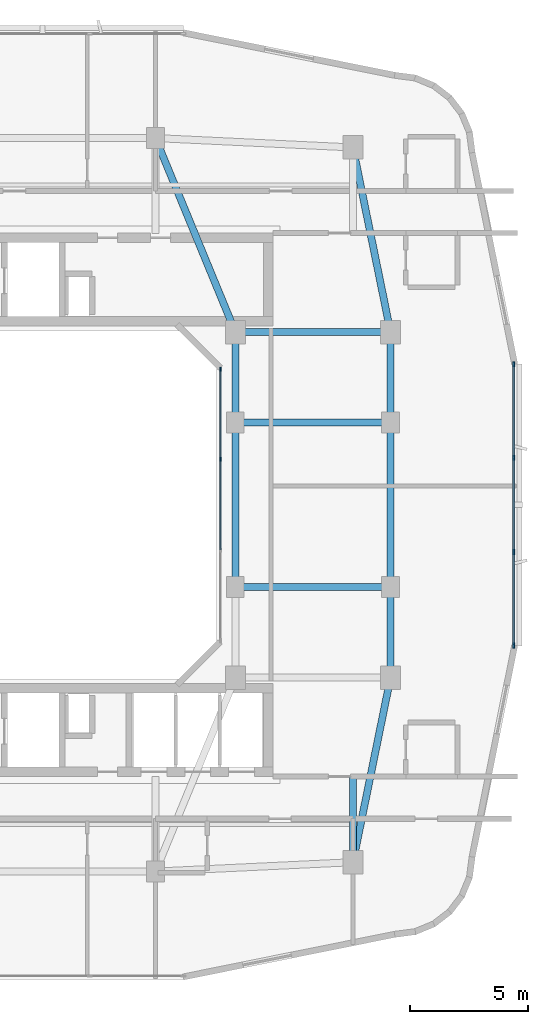
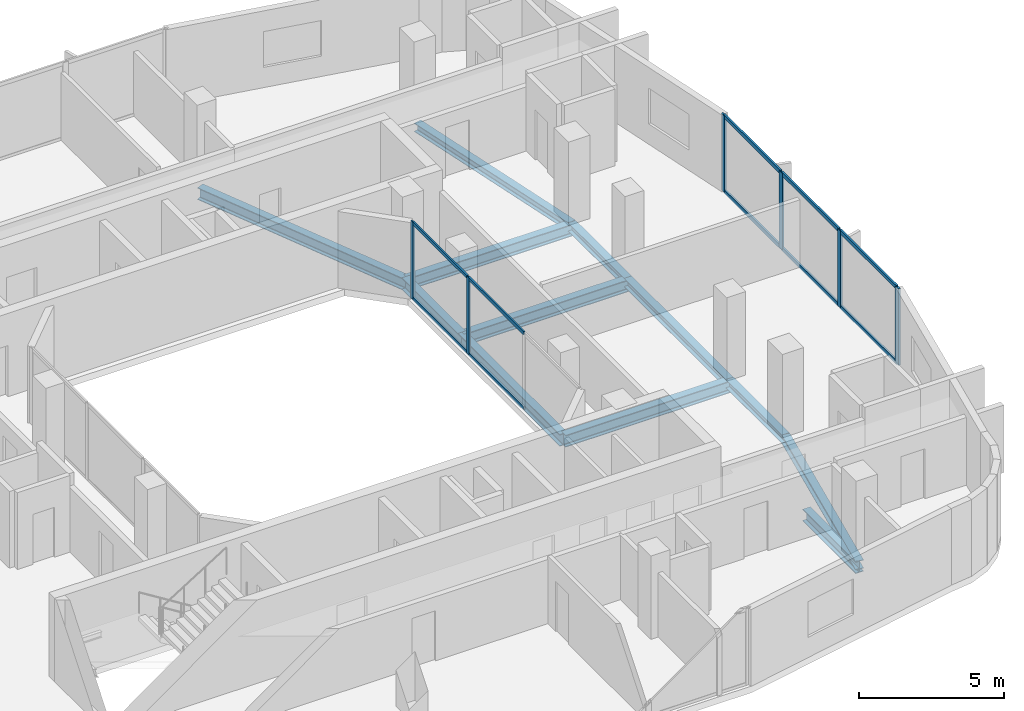
# One storey, part 4 of 14: 16 members, 12 beams, 2 elements without a shape of their own.
"""IFC4 building model written with IfcOpenShell, lengths in metres."""

from ifc_helpers import new_model, si_unit, derived_unit, direction, frame, origin, origin_2d, place, context, subcontext, project, spatial, rectangle, i_section, extrude, material, layer, layer_set, material_profile, profile_set, type_object, element, aggregate, save


model = new_model("IFC4")

# Units and contexts
model_context = context("Model", 3, precision=1e-05, world=origin(), true_north=direction((0.0, 1.0)))
body_context = subcontext(model_context, "Body", "Model", "MODEL_VIEW")
ifc_project = project(units=[si_unit("LENGTHUNIT", "METRE"), si_unit("AREAUNIT", "SQUARE_METRE"), si_unit("VOLUMEUNIT", "CUBIC_METRE"), si_unit("PLANEANGLEUNIT", "RADIAN"), si_unit("MASSUNIT", "GRAM", prefix="KILO"), derived_unit("THERMALTRANSMITTANCEUNIT", [(si_unit("POWERUNIT", "WATT"), 1), (si_unit("LENGTHUNIT", "METRE"), -2), (si_unit("THERMODYNAMICTEMPERATUREUNIT", "KELVIN"), -1)])], contexts=[model_context])

# Site, building, storey
site_placement = place(None, origin())
site = spatial("IfcSite", under=ifc_project, at=site_placement, CompositionType="ELEMENT")
building_placement = place(site_placement, origin())
building = spatial("IfcBuilding", under=site, at=building_placement, Name="Kivonza Crest Hotel", CompositionType="ELEMENT")
storey_placement = place(building_placement, frame((0.0, 0.0, 138.0)))
storey = spatial("IfcBuildingStorey", under=building, at=storey_placement, Name="L37", CompositionType="ELEMENT", Elevation=138.0)

# Beams
ifc_material_1 = material(Name="Steel S355", Category="steel")
ifc_material_profile_1 = material_profile(ifc_material_1, i_section(OverallWidth=0.300048828125, OverallDepth=0.360107421875, WebThickness=0.012451171875, FlangeThickness=0.0224609375, FilletRadius=0.027099609375, at=origin_2d()), Name="HEB 360")
ifc_profile_set_1 = profile_set([ifc_material_profile_1], Name="Steel S355")
beam_type_1 = type_object("IfcBeamType", Name="BM-HEB360", PredefinedType="SPANDREL", material=ifc_profile_set_1)
beam_1_placement = place(storey_placement, frame((34.199951171875, 9.800048828125, -0.4599609375), z_axis=(0.199730733965, 0.979850822273, 0.0), x_axis=(-0.979850822273, 0.199730733965, 0.0)))
element("IfcBeam", 1, at=beam_1_placement, inside=storey, type_object=beam_type_1, Name="Tower T1 L37 perimeter spandrel SE-PSE", PredefinedType="SPANDREL", context=body_context, shape_type="SweptSolid", body=[
    extrude(i_section(OverallWidth=0.300048828125, OverallDepth=0.360107421875, WebThickness=0.012451171875, FlangeThickness=0.0224609375, FilletRadius=0.027099609375, at=origin_2d()), origin(), (0.0, 0.0, 1.0), 8.01123046875),
])
beam_2_placement = place(storey_placement, frame((35.800048828125, 17.64990234375, -0.4599609375), z_axis=(0.0, 1.0, 0.0), x_axis=(-1.0, 0.0, 0.0)))
element("IfcBeam", 2, at=beam_2_placement, inside=storey, type_object=beam_type_1, Name="Tower T1 L37 perimeter spandrel PSE-E1", PredefinedType="SPANDREL", context=body_context, shape_type="SweptSolid", body=[
    extrude(i_section(OverallWidth=0.300048828125, OverallDepth=0.360107421875, WebThickness=0.012451171875, FlangeThickness=0.0224609375, FilletRadius=0.027099609375, at=origin_2d()), origin(), (0.0, 0.0, 1.0), 3.85009765625),
])
beam_3_placement = place(storey_placement, frame((35.800048828125, 21.5, -0.4599609375), z_axis=(0.0, 1.0, 0.0), x_axis=(-1.0, 0.0, 0.0)))
element("IfcBeam", 3, at=beam_3_placement, inside=storey, type_object=beam_type_1, Name="Tower T1 L37 perimeter spandrel E1-E2", PredefinedType="SPANDREL", context=body_context, shape_type="SweptSolid", body=[
    extrude(i_section(OverallWidth=0.300048828125, OverallDepth=0.360107421875, WebThickness=0.012451171875, FlangeThickness=0.0224609375, FilletRadius=0.027099609375, at=origin_2d()), origin(), (0.0, 0.0, 1.0), 7.0),
])
beam_4_placement = place(storey_placement, frame((35.800048828125, 28.5, -0.4599609375), z_axis=(0.0, 1.0, 0.0), x_axis=(-1.0, 0.0, 0.0)))
element("IfcBeam", 4, at=beam_4_placement, inside=storey, type_object=beam_type_1, Name="Tower T1 L37 perimeter spandrel E2-PNE", PredefinedType="SPANDREL", context=body_context, shape_type="SweptSolid", body=[
    extrude(i_section(OverallWidth=0.300048828125, OverallDepth=0.360107421875, WebThickness=0.012451171875, FlangeThickness=0.0224609375, FilletRadius=0.027099609375, at=origin_2d()), origin(), (0.0, 0.0, 1.0), 3.85009765625),
])
beam_5_placement = place(storey_placement, frame((35.800048828125, 32.35009765625, -0.4599609375), z_axis=(-0.199730733965, 0.979850822273, 0.0), x_axis=(-0.979850822273, -0.199730733965, 0.0)))
element("IfcBeam", 5, at=beam_5_placement, inside=storey, type_object=beam_type_1, Name="Tower T1 L37 perimeter spandrel PNE-NE", PredefinedType="SPANDREL", context=body_context, shape_type="SweptSolid", body=[
    extrude(i_section(OverallWidth=0.300048828125, OverallDepth=0.360107421875, WebThickness=0.012451171875, FlangeThickness=0.0224609375, FilletRadius=0.027099609375, at=origin_2d()), origin(), (0.0, 0.0, 1.0), 8.01123046875),
])
ifc_material_profile_2 = material_profile(ifc_material_1, i_section(OverallWidth=0.300048828125, OverallDepth=0.5, WebThickness=0.014404296875, FlangeThickness=0.028076171875, FilletRadius=0.027099609375, at=origin_2d()), Name="HEB 500")
ifc_profile_set_2 = profile_set([ifc_material_profile_2], Name="Steel S355")
beam_type_2 = type_object("IfcBeamType", Name="BM-HEB500", PredefinedType="BEAM", material=ifc_profile_set_2)
beam_6_placement = place(storey_placement, frame((25.800048828125, 40.60009765625, -0.530029296875), z_axis=(0.381022260404, -0.924565864109, 0.0), x_axis=(0.924565864109, 0.381022260404, 0.0)))
element("IfcBeam", 6, at=beam_6_placement, inside=storey, type_object=beam_type_2, Name="Tower T1 L37 primary girder N1-TNE", PredefinedType="BEAM", context=body_context, shape_type="SweptSolid", body=[
    extrude(i_section(OverallWidth=0.300048828125, OverallDepth=0.5, WebThickness=0.014404296875, FlangeThickness=0.028076171875, FilletRadius=0.027099609375, at=origin_2d()), origin(), (0.0, 0.0, 1.0), 8.923095703125),
])
beam_7_placement = place(storey_placement, frame((29.199951171875, 32.35009765625, -0.530029296875), z_axis=(1.0, 0.0, 0.0), x_axis=(0.0, 1.0, 0.0)))
element("IfcBeam", 7, at=beam_7_placement, inside=storey, type_object=beam_type_2, Name="Tower T1 L37 primary girder TNE-PNE", PredefinedType="BEAM", context=body_context, shape_type="SweptSolid", body=[
    extrude(i_section(OverallWidth=0.300048828125, OverallDepth=0.5, WebThickness=0.014404296875, FlangeThickness=0.028076171875, FilletRadius=0.027099609375, at=origin_2d()), origin(), (0.0, 0.0, 1.0), 6.60009765625),
])
beam_8_placement = place(storey_placement, frame((29.199951171875, 21.5, -0.530029296875), z_axis=(0.0, 1.0, 0.0), x_axis=(-1.0, 0.0, 0.0)))
element("IfcBeam", 8, at=beam_8_placement, inside=storey, type_object=beam_type_2, Name="Tower T1 L37 primary girder WR1-WR2", PredefinedType="BEAM", context=body_context, shape_type="SweptSolid", body=[
    extrude(i_section(OverallWidth=0.300048828125, OverallDepth=0.5, WebThickness=0.014404296875, FlangeThickness=0.028076171875, FilletRadius=0.027099609375, at=origin_2d()), origin(), (0.0, 0.0, 1.0), 7.0),
])
beam_9_placement = place(storey_placement, frame((29.199951171875, 28.5, -0.530029296875), z_axis=(0.0, 1.0, 0.0), x_axis=(-1.0, 0.0, 0.0)))
element("IfcBeam", 9, at=beam_9_placement, inside=storey, type_object=beam_type_2, Name="Tower T1 L37 primary girder WR2-TNE", PredefinedType="BEAM", context=body_context, shape_type="SweptSolid", body=[
    extrude(i_section(OverallWidth=0.300048828125, OverallDepth=0.5, WebThickness=0.014404296875, FlangeThickness=0.028076171875, FilletRadius=0.027099609375, at=origin_2d()), origin(), (0.0, 0.0, 1.0), 3.85009765625),
])
for number, where, z_axis, x_axis, name in (
    (10, (29.199951171875, 21.5, -0.530029296875), (1.0, 0.0, 0.0), (0.0, 1.0, 0.0), "Tower T1 L37 primary girder WR1-E1"),
    (11, (29.199951171875, 28.5, -0.530029296875), (1.0, 0.0, 0.0), (0.0, 1.0, 0.0), "Tower T1 L37 primary girder WR2-E2"),
):
    element("IfcBeam", number, at=place(storey_placement, frame(where, z_axis=z_axis, x_axis=x_axis)), inside=storey, type_object=beam_type_2, Name=name, PredefinedType="BEAM", context=body_context, shape_type="SweptSolid", body=[
        extrude(i_section(OverallWidth=0.300048828125, OverallDepth=0.5, WebThickness=0.014404296875, FlangeThickness=0.028076171875, FilletRadius=0.027099609375, at=origin_2d()), origin(), (0.0, 0.0, 1.0), 6.60009765625),
    ])
beam_10_placement = place(storey_placement, frame((34.199951171875, 9.800048828125, -0.530029296875), z_axis=(0.0, 1.0, 0.0), x_axis=(-1.0, 0.0, 0.0)))
element("IfcBeam", 12, at=beam_10_placement, inside=storey, type_object=beam_type_2, Name="Tower T1 L37 radial core girder RSE", PredefinedType="BEAM", context=body_context, shape_type="SweptSolid", body=[
    extrude(i_section(OverallWidth=0.300048828125, OverallDepth=0.5, WebThickness=0.014404296875, FlangeThickness=0.028076171875, FilletRadius=0.027099609375, at=origin_2d()), origin(), (0.0, 0.0, 1.0), 3.64990234375),
])

# Curtain wall, members
ifc_material_2 = material(Name="Anodised bronze aluminium and low-E double glazing", Category="aluminium")
ifc_layer_1 = layer(ifc_material_2, 0.159912109375)
ifc_layer_set_1 = layer_set([ifc_layer_1], Name="Anodised bronze aluminium and low-E double glazing")
curtain_wall_type_1 = type_object("IfcCurtainWallType", Name="CW-SYS-5", PredefinedType="NOTDEFINED", material=ifc_layer_set_1)
curtain_wall_1_placement = place(storey_placement, origin())
curtain_wall_1 = element("IfcCurtainWall", 13, at=curtain_wall_1_placement, inside=storey, type_object=curtain_wall_type_1, Name="L37 unitised curtain wall CW-WELL-T1-L37-3", PredefinedType="NOTDEFINED")
ifc_material_3 = material(Name="Anodised bronze aluminium", Category="aluminium")
ifc_material_profile_3 = material_profile(ifc_material_3, rectangle(XDim=0.06494140625, YDim=0.179931640625, at=origin_2d()), Name="CW-M 65x180")
ifc_profile_set_3 = profile_set([ifc_material_profile_3], Name="Anodised bronze aluminium")
member_type_1 = type_object("IfcMemberType", Name="CW-MUL-65x180", PredefinedType="MULLION", material=ifc_profile_set_3)
member_1_placement = place(storey_placement, frame((28.56005859375, 26.933349609375, 0.0), z_axis=(0.0, 0.0, 1.0), x_axis=(-1.0, 0.0, 0.0)))
member_1 = element("IfcMember", 14, at=member_1_placement, type_object=member_type_1, Name="CW-5 mullion 3", PredefinedType="MULLION", context=body_context, shape_type="SweptSolid", body=[
    extrude(rectangle(XDim=0.06494140625, YDim=0.179931640625, at=origin_2d()), origin(), (0.0, 0.0, 1.0), 3.219970703125),
])
member_2_placement = place(storey_placement, frame((28.56005859375, 30.767578125, 0.0), z_axis=(0.0, 0.0, 1.0), x_axis=(-1.0, 0.0, 0.0)))
member_2 = element("IfcMember", 15, at=member_2_placement, type_object=member_type_1, Name="CW-5 mullion 4", PredefinedType="MULLION", context=body_context, shape_type="SweptSolid", body=[
    extrude(rectangle(XDim=0.06494140625, YDim=0.179931640625, at=origin_2d()), origin(), (0.0, 0.0, 1.0), 3.219970703125),
])

ifc_layer_2 = layer(ifc_material_2, 0.179931640625)
ifc_layer_set_2 = layer_set([ifc_layer_2], Name="Anodised bronze aluminium and low-E double glazing")
curtain_wall_type_2 = type_object("IfcCurtainWallType", Name="CW-SYS-3", PredefinedType="NOTDEFINED", material=ifc_layer_set_2)
curtain_wall_2_placement = place(storey_placement, origin())
curtain_wall_2 = element("IfcCurtainWall", 16, at=curtain_wall_2_placement, inside=storey, type_object=curtain_wall_type_2, Name="L37 unitised curtain wall CW-T1-L37-17", PredefinedType="NOTDEFINED")
ifc_material_profile_4 = material_profile(ifc_material_3, rectangle(XDim=0.074951171875, YDim=0.219970703125, at=origin_2d()), Name="CW-M 75x220")
ifc_profile_set_4 = profile_set([ifc_material_profile_4], Name="Anodised bronze aluminium")
member_type_2 = type_object("IfcMemberType", Name="CW-MUL-75x220", PredefinedType="MULLION", material=ifc_profile_set_4)
member_3_placement = place(storey_placement, frame((41.0400390625, 19.017578125, 0.0), z_axis=(0.0, 0.0, 1.0), x_axis=(-1.0, 0.0, 0.0)))
member_3 = element("IfcMember", 17, at=member_3_placement, type_object=member_type_2, Name="CW-3 mullion 1", PredefinedType="MULLION", context=body_context, shape_type="SweptSolid", body=[
    extrude(rectangle(XDim=0.074951171875, YDim=0.219970703125, at=origin_2d()), origin(), (0.0, 0.0, 1.0), 3.219970703125),
])
member_4_placement = place(storey_placement, frame((41.0400390625, 22.993408203125, 0.0), z_axis=(0.0, 0.0, 1.0), x_axis=(-1.0, 0.0, 0.0)))
member_4 = element("IfcMember", 18, at=member_4_placement, type_object=member_type_2, Name="CW-3 mullion 2", PredefinedType="MULLION", context=body_context, shape_type="SweptSolid", body=[
    extrude(rectangle(XDim=0.074951171875, YDim=0.219970703125, at=origin_2d()), origin(), (0.0, 0.0, 1.0), 3.219970703125),
])
member_5_placement = place(storey_placement, frame((41.0400390625, 27.006591796875, 0.0), z_axis=(0.0, 0.0, 1.0), x_axis=(-1.0, 0.0, 0.0)))
member_5 = element("IfcMember", 19, at=member_5_placement, type_object=member_type_2, Name="CW-3 mullion 3", PredefinedType="MULLION", context=body_context, shape_type="SweptSolid", body=[
    extrude(rectangle(XDim=0.074951171875, YDim=0.219970703125, at=origin_2d()), origin(), (0.0, 0.0, 1.0), 3.219970703125),
])
member_6_placement = place(storey_placement, frame((41.0400390625, 30.982421875, 0.0), z_axis=(0.0, 0.0, 1.0), x_axis=(-1.0, 0.0, 0.0)))
member_6 = element("IfcMember", 20, at=member_6_placement, type_object=member_type_2, Name="CW-3 mullion 4", PredefinedType="MULLION", context=body_context, shape_type="SweptSolid", body=[
    extrude(rectangle(XDim=0.074951171875, YDim=0.219970703125, at=origin_2d()), origin(), (0.0, 0.0, 1.0), 3.219970703125),
])

# Member
ifc_material_profile_5 = material_profile(ifc_material_3, rectangle(XDim=0.06494140625, YDim=0.139892578125, at=origin_2d()), Name="CW-T 65x140")
ifc_profile_set_5 = profile_set([ifc_material_profile_5], Name="Anodised bronze aluminium")
member_type_3 = type_object("IfcMemberType", Name="CW-TRN-65x140", PredefinedType="USERDEFINED", material=ifc_profile_set_5)
member_7_placement = place(storey_placement, frame((28.56005859375, 23.09912109375, 0.032470703125), z_axis=(0.0, 1.0, 0.0), x_axis=(-1.0, 0.0, 0.0)))
member_7 = element("IfcMember", 21, at=member_7_placement, type_object=member_type_3, Name="CW-5 transom 2.1", ObjectType="TRANSOM", PredefinedType="USERDEFINED", context=body_context, shape_type="SweptSolid", body=[
    extrude(rectangle(XDim=0.06494140625, YDim=0.139892578125, at=origin_2d()), origin(), (0.0, 0.0, 1.0), 3.8017578125),
])

member_8_placement = place(storey_placement, frame((28.56005859375, 23.09912109375, 3.1875), z_axis=(0.0, 1.0, 0.0), x_axis=(-1.0, 0.0, 0.0)))
member_8 = element("IfcMember", 22, at=member_8_placement, type_object=member_type_3, Name="CW-5 transom 2.2", ObjectType="TRANSOM", PredefinedType="USERDEFINED", context=body_context, shape_type="SweptSolid", body=[
    extrude(rectangle(XDim=0.06494140625, YDim=0.139892578125, at=origin_2d()), origin(), (0.0, 0.0, 1.0), 3.8017578125),
])

member_9_placement = place(storey_placement, frame((28.56005859375, 26.9658203125, 0.032470703125), z_axis=(0.0, 1.0, 0.0), x_axis=(-1.0, 0.0, 0.0)))
member_9 = element("IfcMember", 23, at=member_9_placement, type_object=member_type_3, Name="CW-5 transom 3.1", ObjectType="TRANSOM", PredefinedType="USERDEFINED", context=body_context, shape_type="SweptSolid", body=[
    extrude(rectangle(XDim=0.06494140625, YDim=0.139892578125, at=origin_2d()), origin(), (0.0, 0.0, 1.0), 3.769287109375),
])

member_10_placement = place(storey_placement, frame((28.56005859375, 26.9658203125, 3.1875), z_axis=(0.0, 1.0, 0.0), x_axis=(-1.0, 0.0, 0.0)))
member_10 = element("IfcMember", 24, at=member_10_placement, type_object=member_type_3, Name="CW-5 transom 3.2", ObjectType="TRANSOM", PredefinedType="USERDEFINED", context=body_context, shape_type="SweptSolid", body=[
    extrude(rectangle(XDim=0.06494140625, YDim=0.139892578125, at=origin_2d()), origin(), (0.0, 0.0, 1.0), 3.769287109375),
])

aggregate(curtain_wall_1, [member_1, member_2, member_7, member_8, member_9, member_10])

ifc_material_profile_6 = material_profile(ifc_material_3, rectangle(XDim=0.074951171875, YDim=0.159912109375, at=origin_2d()), Name="CW-T 75x160")
ifc_profile_set_6 = profile_set([ifc_material_profile_6], Name="Anodised bronze aluminium")
member_type_4 = type_object("IfcMemberType", Name="CW-TRN-75x160", PredefinedType="USERDEFINED", material=ifc_profile_set_6)
member_11_placement = place(storey_placement, frame((41.0400390625, 19.054931640625, 0.03759765625), z_axis=(0.0, 1.0, 0.0), x_axis=(-1.0, 0.0, 0.0)))
member_11 = element("IfcMember", 25, at=member_11_placement, type_object=member_type_4, Name="CW-3 transom 1.1", ObjectType="TRANSOM", PredefinedType="USERDEFINED", context=body_context, shape_type="SweptSolid", body=[
    extrude(rectangle(XDim=0.074951171875, YDim=0.159912109375, at=origin_2d()), origin(), (0.0, 0.0, 1.0), 3.90087890625),
])

member_12_placement = place(storey_placement, frame((41.0400390625, 19.054931640625, 3.1826171875), z_axis=(0.0, 1.0, 0.0), x_axis=(-1.0, 0.0, 0.0)))
member_12 = element("IfcMember", 26, at=member_12_placement, type_object=member_type_4, Name="CW-3 transom 1.2", ObjectType="TRANSOM", PredefinedType="USERDEFINED", context=body_context, shape_type="SweptSolid", body=[
    extrude(rectangle(XDim=0.074951171875, YDim=0.159912109375, at=origin_2d()), origin(), (0.0, 0.0, 1.0), 3.90087890625),
])

member_13_placement = place(storey_placement, frame((41.0400390625, 23.03076171875, 0.03759765625), z_axis=(0.0, 1.0, 0.0), x_axis=(-1.0, 0.0, 0.0)))
member_13 = element("IfcMember", 27, at=member_13_placement, type_object=member_type_4, Name="CW-3 transom 2.1", ObjectType="TRANSOM", PredefinedType="USERDEFINED", context=body_context, shape_type="SweptSolid", body=[
    extrude(rectangle(XDim=0.074951171875, YDim=0.159912109375, at=origin_2d()), origin(), (0.0, 0.0, 1.0), 3.9384765625),
])

member_14_placement = place(storey_placement, frame((41.0400390625, 23.03076171875, 3.1826171875), z_axis=(0.0, 1.0, 0.0), x_axis=(-1.0, 0.0, 0.0)))
member_14 = element("IfcMember", 28, at=member_14_placement, type_object=member_type_4, Name="CW-3 transom 2.2", ObjectType="TRANSOM", PredefinedType="USERDEFINED", context=body_context, shape_type="SweptSolid", body=[
    extrude(rectangle(XDim=0.074951171875, YDim=0.159912109375, at=origin_2d()), origin(), (0.0, 0.0, 1.0), 3.9384765625),
])

member_15_placement = place(storey_placement, frame((41.0400390625, 27.044189453125, 0.03759765625), z_axis=(0.0, 1.0, 0.0), x_axis=(-1.0, 0.0, 0.0)))
member_15 = element("IfcMember", 29, at=member_15_placement, type_object=member_type_4, Name="CW-3 transom 3.1", ObjectType="TRANSOM", PredefinedType="USERDEFINED", context=body_context, shape_type="SweptSolid", body=[
    extrude(rectangle(XDim=0.074951171875, YDim=0.159912109375, at=origin_2d()), origin(), (0.0, 0.0, 1.0), 3.90087890625),
])

member_16_placement = place(storey_placement, frame((41.0400390625, 27.044189453125, 3.1826171875), z_axis=(0.0, 1.0, 0.0), x_axis=(-1.0, 0.0, 0.0)))
member_16 = element("IfcMember", 30, at=member_16_placement, type_object=member_type_4, Name="CW-3 transom 3.2", ObjectType="TRANSOM", PredefinedType="USERDEFINED", context=body_context, shape_type="SweptSolid", body=[
    extrude(rectangle(XDim=0.074951171875, YDim=0.159912109375, at=origin_2d()), origin(), (0.0, 0.0, 1.0), 3.90087890625),
])

aggregate(curtain_wall_2, [member_3, member_4, member_5, member_6, member_11, member_12, member_13, member_14, member_15, member_16])

save(model, "model.ifc")
